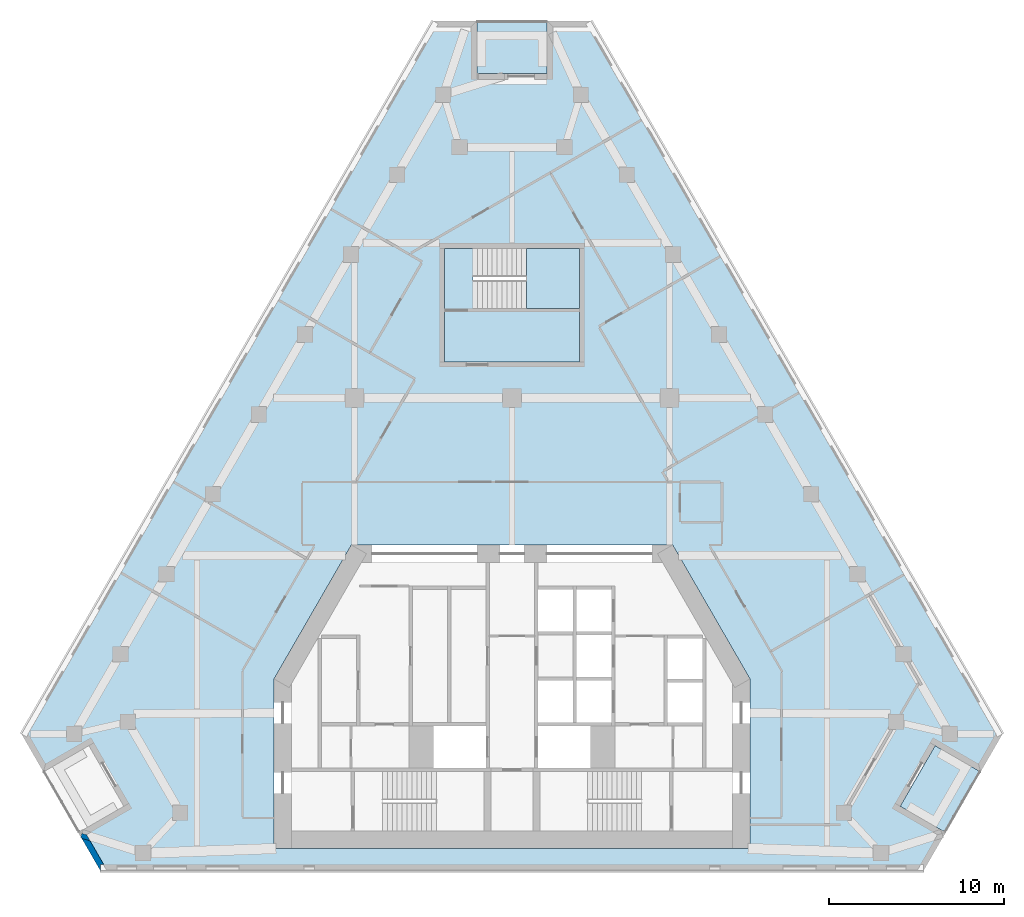
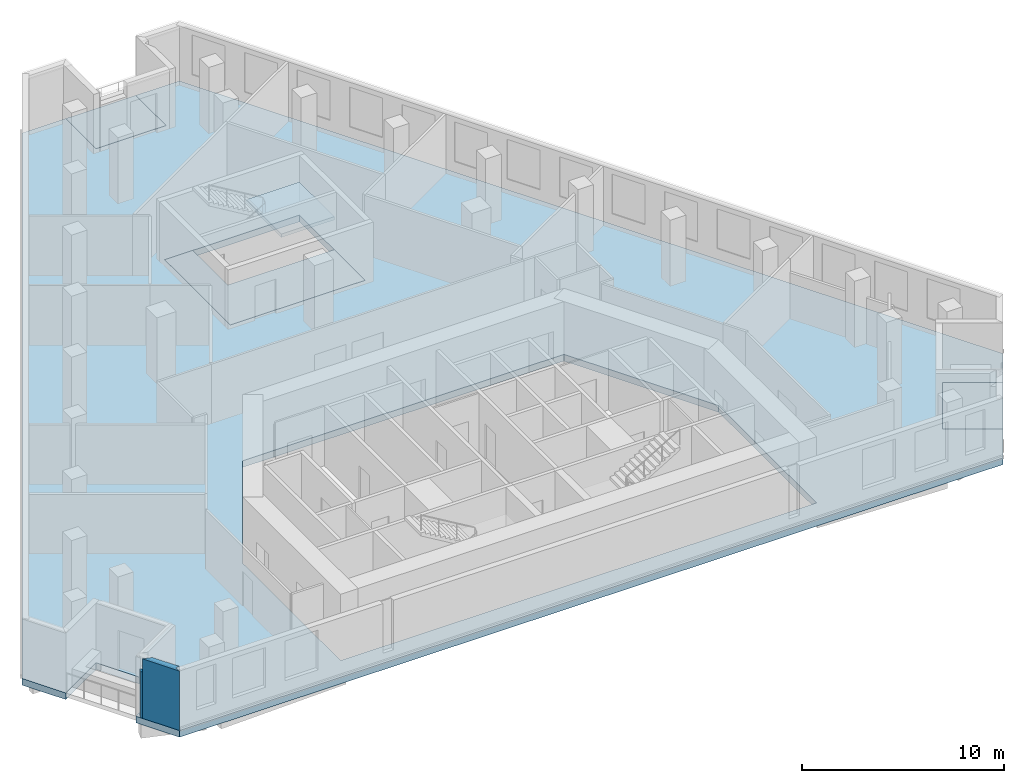
# One storey, part 2 of 9: 5 slabs, 2 walls, 1 element without a shape of its own.
"""IFC4 building model written with IfcOpenShell, lengths in metres."""

from ifc_helpers import new_model, si_unit, direction, frame, origin, place, context, subcontext, project, spatial, polyline, outline, extrude, material, layer, layer_set, type_object, element, aggregate, save


model = new_model("IFC4")

# Units and contexts
model_context = context("Model", 3, precision=1e-05, world=origin(), true_north=direction((0.0, 1.0)))
body_context = subcontext(model_context, "Body", "Model", "MODEL_VIEW")
ifc_project = project(units=[si_unit("LENGTHUNIT", "METRE"), si_unit("AREAUNIT", "SQUARE_METRE"), si_unit("VOLUMEUNIT", "CUBIC_METRE"), si_unit("PLANEANGLEUNIT", "RADIAN"), si_unit("MASSUNIT", "GRAM", prefix="KILO")], contexts=[model_context])

# Site, building, storey
site_placement = place(None, origin())
site = spatial("IfcSite", under=ifc_project, at=site_placement, CompositionType="ELEMENT")
building_placement = place(site_placement, origin())
building = spatial("IfcBuilding", under=site, at=building_placement, Name="Fogline Exchange Tower", CompositionType="ELEMENT")
storey_placement = place(building_placement, frame((0.0, 0.0, 190.10009765625)))
storey = spatial("IfcBuildingStorey", under=building, at=storey_placement, Name="L42", CompositionType="ELEMENT", Elevation=190.10009765625)

# Slabs
ifc_material_1 = material(Name="Concrete C40", Category="concrete")
ifc_layer_1 = layer(ifc_material_1, 0.25)
ifc_layer_set_1 = layer_set([ifc_layer_1], Name="DK1")
slab_type_1 = type_object("IfcSlabType", Name="DK1", PredefinedType="FLOOR", material=ifc_layer_set_1)
slab_1_placement = place(storey_placement, frame((0.0, 0.0, -0.25)))
element("IfcSlab", 1, at=slab_1_placement, inside=storey, type_object=slab_type_1, Name="Balcony L42 SE", PredefinedType="FLOOR", context=body_context, shape_type="SweptSolid", body=[
    extrude(outline(polyline([(24.78125, 2.1650390625), (26.78125, 5.629150390625), (24.18310546875, 7.129150390625), (22.18310546875, 3.6650390625), (24.78125, 2.1650390625)])), origin(), (0.0, 0.0, 1.0), 0.25),
])
slab_2_placement = place(storey_placement, frame((0.0, 0.0, -0.25)))
element("IfcSlab", 2, at=slab_2_placement, inside=storey, type_object=slab_type_1, Name="Balcony L42 N", PredefinedType="FLOOR", context=body_context, shape_type="SweptSolid", body=[
    extrude(outline(polyline([(2.0, 48.5517578125), (-2.0, 48.5517578125), (-2.0, 45.5517578125), (2.0, 45.5517578125), (2.0, 48.5517578125)])), origin(), (0.0, 0.0, 1.0), 0.25),
])
ifc_layer_2 = layer(ifc_material_1, 0.39990234375)
ifc_layer_set_2 = layer_set([ifc_layer_2], Name="S03")
slab_type_2 = type_object("IfcSlabType", Name="S03", PredefinedType="FLOOR", material=ifc_layer_set_2)
slab_3_placement = place(storey_placement, frame((0.0, 0.0, -0.400146484375)))
element("IfcSlab", 3, at=slab_3_placement, inside=storey, type_object=slab_type_2, Name="SLAB L42", PredefinedType="FLOOR", context=body_context, shape_type="SweptSolid", body=[
    extrude(outline(polyline([(-2.0, 48.5517578125), (-4.5, 48.5517578125), (-28.03125, 7.794189453125), (-26.78125, 5.629150390625), (-24.18310546875, 7.129150390625), (-22.18310546875, 3.6650390625), (-24.78125, 2.1650390625), (-23.53125, 0.0), (23.53125, 0.0), (24.78125, 2.1650390625), (22.18310546875, 3.6650390625), (24.18310546875, 7.129150390625), (26.78125, 5.629150390625), (28.03125, 7.794189453125), (4.5, 48.5517578125), (2.0, 48.5517578125), (2.0, 45.5517578125), (-2.0, 45.5517578125), (-2.0, 48.5517578125)]), holes=[polyline([(13.60009765625, 10.9453125), (13.60009765625, 1.25), (-13.60009765625, 1.25), (-13.60009765625, 10.9453125), (-9.1806640625, 18.60009765625), (9.1806640625, 18.60009765625), (13.60009765625, 10.9453125)]), polyline([(3.85009765625, 35.556884765625), (3.85009765625, 29.056884765625), (-3.85009765625, 29.056884765625), (-3.85009765625, 35.556884765625), (3.85009765625, 35.556884765625)])]), origin(), (0.0, 0.0, 1.0), 0.400146484375),
])
slab_4_placement = place(storey_placement, frame((0.0, 0.0, -0.400146484375)))
element("IfcSlab", 4, at=slab_4_placement, inside=storey, type_object=slab_type_2, Name="Stair enclosure floor slab", PredefinedType="FLOOR", context=body_context, shape_type="SweptSolid", body=[
    extrude(outline(polyline([(3.85009765625, 29.056884765625), (-3.85009765625, 29.056884765625), (-3.85009765625, 35.556884765625), (-2.239990234375, 35.556884765625), (-2.239990234375, 32.10693359375), (3.85009765625, 32.10693359375), (3.85009765625, 29.056884765625)])), origin(), (0.0, 0.0, 1.0), 0.400146484375),
])

# Stair, slab
stair_type = type_object("IfcStairType", Name="STR24-1667", PredefinedType="HALF_TURN_STAIR", material=ifc_material_1)
stair_placement = place(storey_placement, origin())
stair = element("IfcStair", 5, at=stair_placement, inside=storey, type_object=stair_type, Name="Stair ST3", PredefinedType="HALF_TURN_STAIR")
ifc_layer_3 = layer(ifc_material_1, 0.199951171875)
ifc_layer_set_3 = layer_set([ifc_layer_3], Name="SL200")
slab_type_3 = type_object("IfcSlabType", Name="SL200", PredefinedType="LANDING", material=ifc_layer_set_3)
slab_5_placement = place(storey_placement, frame((0.0, 0.0, 1.7998046875)))
slab_5 = element("IfcSlab", 6, at=slab_5_placement, type_object=slab_type_3, Name="ST3 landing 1", PredefinedType="LANDING", context=body_context, shape_type="SweptSolid", body=[
    extrude(outline(polyline([(0.830078125, 32.10693359375), (3.85009765625, 32.10693359375), (3.85009765625, 35.556884765625), (0.830078125, 35.556884765625), (0.830078125, 32.10693359375)])), origin(), (0.0, 0.0, 1.0), 0.2001953125),
])
aggregate(stair, [slab_5])

# Walls
ifc_material_2 = material(Name="Brick masonry", Category="masonry")
ifc_layer_4 = layer(ifc_material_2, 0.340087890625)
ifc_layer_set_4 = layer_set([ifc_layer_4], Name="FW1")
wall_type = type_object("IfcWallType", Name="FW1", PredefinedType="SOLIDWALL", material=ifc_layer_set_4)
wall_1_placement = place(storey_placement, origin())
element("IfcWall", 7, at=wall_1_placement, inside=storey, type_object=wall_type, Name="Brick wall L42 SW-c2", PredefinedType="SOLIDWALL", context=body_context, shape_type="SweptSolid", body=[
    extrude(outline(polyline([(-24.64501953125, 1.927734375), (-24.586669921875, 2.113525390625), (-24.31640625, 2.041015625), (-24.110107421875, 1.683837890625), (-24.591064453125, 1.83447265625), (-24.64501953125, 1.927734375)])), origin(), (0.0, 0.0, 1.0), 2.7998046875),
])
wall_2_placement = place(storey_placement, origin())
element("IfcWall", 8, at=wall_2_placement, inside=storey, type_object=wall_type, Name="Brick wall L42 SW-c2", PredefinedType="SOLIDWALL", context=body_context, shape_type="SweptSolid", body=[
    extrude(outline(polyline([(-23.53076171875, 0.33935546875), (-23.53076171875, -0.0009765625), (-23.53125, -0.001220703125), (-24.591064453125, 1.83447265625), (-24.110107421875, 1.683837890625), (-23.333984375, 0.33935546875), (-23.53076171875, 0.33935546875)])), origin(), (0.0, 0.0, 1.0), 3.599853515625),
])

save(model, "model.ifc")
